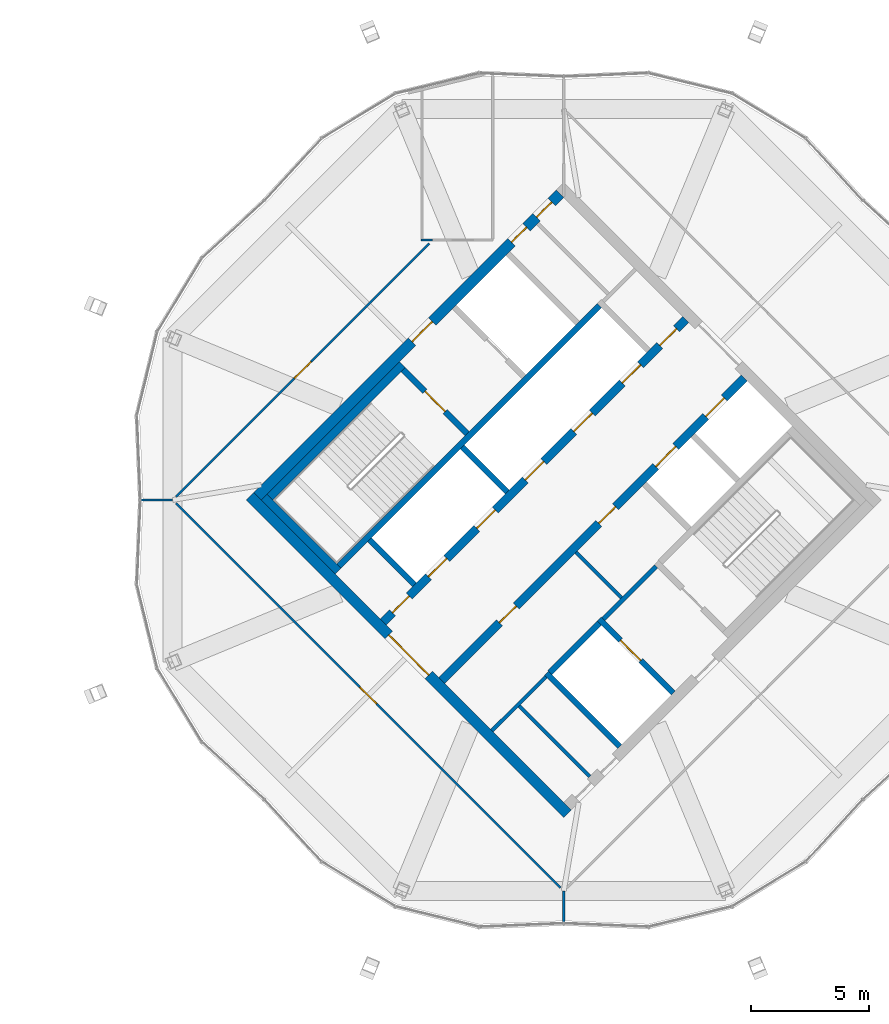
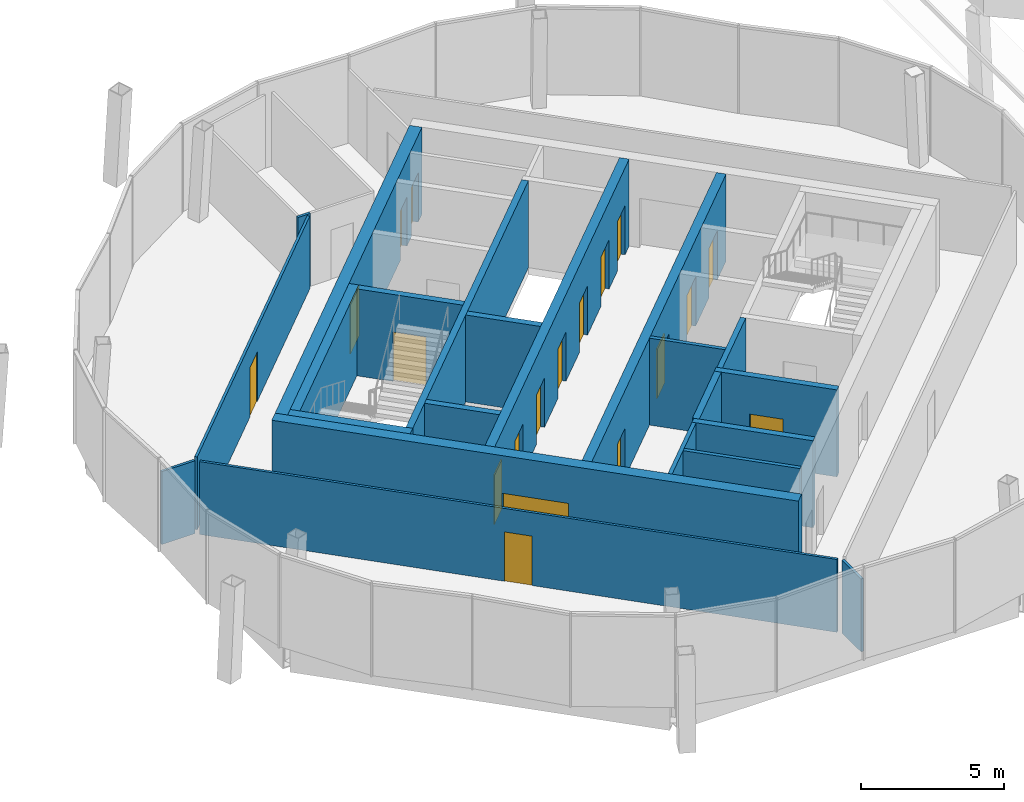
# One storey, part 18 of 22: 22 walls, 19 doors, 19 openings.
"""IFC4 building model written with IfcOpenShell, lengths in metres."""

from ifc_helpers import new_model, si_unit, direction, frame, frame_2d, origin, place, context, subcontext, project, spatial, rectangle, extrude, material, layer, layer_set, type_object, element, fill, save


model = new_model("IFC4")

# Units and contexts
model_context = context("Model", 3, precision=1e-05, world=origin(), true_north=direction((0.0, 1.0)))
body_context = subcontext(model_context, "Body", "Model", "MODEL_VIEW")
ifc_project = project(units=[si_unit("LENGTHUNIT", "METRE"), si_unit("AREAUNIT", "SQUARE_METRE"), si_unit("VOLUMEUNIT", "CUBIC_METRE"), si_unit("PLANEANGLEUNIT", "RADIAN"), si_unit("MASSUNIT", "GRAM", prefix="KILO")], contexts=[model_context])

# Site, building, storey
site_placement = place(None, origin())
site = spatial("IfcSite", under=ifc_project, at=site_placement, CompositionType="ELEMENT")
building_placement = place(site_placement, origin())
building = spatial("IfcBuilding", under=site, at=building_placement, Name="Ogive Gate Towers", CompositionType="ELEMENT")
storey_placement = place(building_placement, frame((0.0, 0.0, 298.0)))
storey = spatial("IfcBuildingStorey", under=building, at=storey_placement, Name="L70", CompositionType="ELEMENT", Elevation=298.0)

# Wall
ifc_material_1 = material(Name="Masonry blockwork", Category="masonry")
ifc_layer_1 = layer(ifc_material_1, 0.199951171875)
ifc_layer_set_1 = layer_set([ifc_layer_1], Name="Blockwork wall 200 mm")
wall_type_1 = type_object("IfcWallType", Name="Blockwork wall 200 mm", PredefinedType="PARTITIONING", material=ifc_layer_set_1)
wall_1_placement = place(storey_placement, frame((37.679443359375, -5.0380859375, 0.0), z_axis=(0.0, 0.0, 1.0), x_axis=(0.707106781187, 0.707106781187, 0.0)))
element("IfcWall", 1, at=wall_1_placement, inside=storey, type_object=wall_type_1, Name="T2 L70 Blockwork wall 200 mm", PredefinedType="PARTITIONING", context=body_context, shape_type="SweptSolid", body=[
    extrude(rectangle(XDim=3.14990234375, YDim=0.199951171875, at=frame_2d((1.574951171875, 0.0))), origin(), (0.0, 0.0, 1.0), 3.699951171875),
])

# Wall, openings, doors
ifc_material_2 = material(Name="Concrete C60/75", Category="concrete")
ifc_layer_2 = layer(ifc_material_2, 0.449951171875)
ifc_layer_set_2 = layer_set([ifc_layer_2], Name="Core wall 450 mm")
wall_type_2 = type_object("IfcWallType", Name="Core wall 450 mm", PredefinedType="SHEAR", material=ifc_layer_set_2)
wall_2_placement = place(storey_placement, frame((23.042236328125, 0.1591796875, 0.0), z_axis=(0.0, 0.0, 1.0), x_axis=(0.707106781187, 0.707106781187, 0.0)))
wall_2 = element("IfcWall", 2, at=wall_2_placement, inside=storey, type_object=wall_type_2, Name="T2 L70 Core wall 450 mm", PredefinedType="SHEAR", context=body_context, shape_type="SweptSolid", body=[
    extrude(rectangle(XDim=18.099853515625, YDim=0.449951171875, at=frame_2d((9.0498046875, 0.0))), origin(), (0.0, 0.0, 1.0), 3.699951171875),
])
opening_1_placement = place(wall_2_placement, frame((9.25, 0.0, 0.0)))
opening_1 = element("IfcOpeningElement", 3, at=opening_1_placement, cuts=wall_2, Name="Opening KD-T2-L70-18", PredefinedType="OPENING", context=body_context, shape_type="SweptSolid", body=[
    extrude(rectangle(XDim=1.199951171875, YDim=2.10009765625, at=frame_2d((0.60009765625, 1.050048828125))), frame((0.0, 0.23486328125, 0.0), z_axis=(0.0, -1.0, 0.0), x_axis=(1.0, 0.0, 0.0)), (0.0, 0.0, 1.0), 0.469970703125),
])
opening_2_placement = place(wall_2_placement, frame((15.199951171875, 0.0, 0.0)))
opening_2 = element("IfcOpeningElement", 4, at=opening_2_placement, cuts=wall_2, Name="Opening KD-T2-L70-20", PredefinedType="OPENING", context=body_context, shape_type="SweptSolid", body=[
    extrude(rectangle(XDim=0.89990234375, YDim=2.10009765625, at=frame_2d((0.449951171875, 1.050048828125))), frame((0.0, 0.23486328125, 0.0), z_axis=(0.0, -1.0, 0.0), x_axis=(1.0, 0.0, 0.0)), (0.0, 0.0, 1.0), 0.469970703125),
])
opening_3_placement = place(wall_2_placement, frame((16.699951171875, 0.0, 0.0)))
opening_3 = element("IfcOpeningElement", 5, at=opening_3_placement, cuts=wall_2, Name="Opening KD-T2-L70-21", PredefinedType="OPENING", context=body_context, shape_type="SweptSolid", body=[
    extrude(rectangle(XDim=0.89990234375, YDim=2.10009765625, at=frame_2d((0.449951171875, 1.050048828125))), frame((0.0, 0.23486328125, 0.0), z_axis=(0.0, -1.0, 0.0), x_axis=(1.0, 0.0, 0.0)), (0.0, 0.0, 1.0), 0.469970703125),
])
ifc_material_3 = material(Name="Steel fire door", Category="steel")
door_type_1 = type_object("IfcDoorType", Name="Core door FD60S 1200 x 2100", OperationType="NOTDEFINED", PredefinedType="DOOR", material=ifc_material_3)
door_1_placement = place(opening_1_placement, origin())
door_1 = element("IfcDoor", 6, at=door_1_placement, inside=storey, type_object=door_type_1, Name="T2 L70 Fire-fighting lobby door", OperationType="SINGLE_SWING_LEFT", OverallHeight=2.10009765625, OverallWidth=1.199951171875, PredefinedType="DOOR", context=body_context, shape_type="SweptSolid", body=[
    extrude(rectangle(XDim=1.199951171875, YDim=2.10009765625, at=frame_2d((0.60009765625, 1.050048828125))), frame((0.0, 0.02490234375, 0.0), z_axis=(0.0, -1.0, 0.0), x_axis=(1.0, 0.0, 0.0)), (0.0, 0.0, 1.0), 0.050048828125),
])
fill(opening_1, door_1)
door_type_2 = type_object("IfcDoorType", Name="Core door FD60S 900 x 2100", OperationType="NOTDEFINED", PredefinedType="DOOR", material=ifc_material_3)
door_2_placement = place(opening_2_placement, origin())
door_2 = element("IfcDoor", 7, at=door_2_placement, inside=storey, type_object=door_type_2, Name="T2 L70 Core door", OperationType="SINGLE_SWING_LEFT", OverallHeight=2.10009765625, OverallWidth=0.89990234375, PredefinedType="DOOR", context=body_context, shape_type="SweptSolid", body=[
    extrude(rectangle(XDim=0.89990234375, YDim=2.10009765625, at=frame_2d((0.449951171875, 1.050048828125))), frame((0.0, 0.02490234375, 0.0), z_axis=(0.0, -1.0, 0.0), x_axis=(1.0, 0.0, 0.0)), (0.0, 0.0, 1.0), 0.050048828125),
])
fill(opening_2, door_2)
door_3_placement = place(opening_3_placement, origin())
door_3 = element("IfcDoor", 8, at=door_3_placement, inside=storey, type_object=door_type_2, Name="T2 L70 Core door", OperationType="SINGLE_SWING_RIGHT", OverallHeight=2.10009765625, OverallWidth=0.89990234375, PredefinedType="DOOR", context=body_context, shape_type="SweptSolid", body=[
    extrude(rectangle(XDim=0.89990234375, YDim=2.10009765625, at=frame_2d((0.449951171875, 1.050048828125))), frame((0.0, 0.02490234375, 0.0), z_axis=(0.0, -1.0, 0.0), x_axis=(1.0, 0.0, 0.0)), (0.0, 0.0, 1.0), 0.050048828125),
])
fill(opening_3, door_3)

# Wall, opening, door
wall_3_placement = place(storey_placement, frame((36.1591796875, -13.27587890625, 0.0), z_axis=(0.0, 0.0, 1.0), x_axis=(-0.707106781187, 0.707106781187, 0.0)))
wall_3 = element("IfcWall", 9, at=wall_3_placement, inside=storey, type_object=wall_type_2, Name="T2 L70 Core wall 450 mm", PredefinedType="SHEAR", context=body_context, shape_type="SweptSolid", body=[
    extrude(rectangle(XDim=19.0, YDim=0.449951171875, at=frame_2d((9.5, 0.0))), origin(), (0.0, 0.0, 1.0), 3.699951171875),
])
opening_4_placement = place(wall_3_placement, frame((8.300048828125, 0.0, 0.0)))
opening_4 = element("IfcOpeningElement", 10, at=opening_4_placement, cuts=wall_3, Name="Opening KD-T2-L70-01", PredefinedType="OPENING", context=body_context, shape_type="SweptSolid", body=[
    extrude(rectangle(XDim=2.39990234375, YDim=2.10009765625, at=frame_2d((1.199951171875, 1.050048828125))), frame((0.0, 0.23486328125, 0.0), z_axis=(0.0, -1.0, 0.0), x_axis=(1.0, 0.0, 0.0)), (0.0, 0.0, 1.0), 0.469970703125),
])
door_type_3 = type_object("IfcDoorType", Name="Core double door FD60S 2400 x 2100", OperationType="DOUBLE_DOOR_SINGLE_SWING", PredefinedType="DOOR", material=ifc_material_3)
door_4_placement = place(opening_4_placement, origin())
door_4 = element("IfcDoor", 11, at=door_4_placement, inside=storey, type_object=door_type_3, Name="T2 L70 Core door double", OperationType="DOUBLE_DOOR_SINGLE_SWING", OverallHeight=2.10009765625, OverallWidth=2.39990234375, PredefinedType="DOOR", context=body_context, shape_type="SweptSolid", body=[
    extrude(rectangle(XDim=2.39990234375, YDim=2.10009765625, at=frame_2d((1.199951171875, 1.050048828125))), frame((0.0, 0.02490234375, 0.0), z_axis=(0.0, -1.0, 0.0), x_axis=(1.0, 0.0, 0.0)), (0.0, 0.0, 1.0), 0.050048828125),
])
fill(opening_4, door_4)

# Walls
ifc_material_4 = material(Name="Gypsum board partition")
ifc_layer_3 = layer(ifc_material_4, 0.10009765625)
ifc_layer_set_3 = layer_set([ifc_layer_3], Name="Partition wall 100")
wall_type_3 = type_object("IfcWallType", Name="Partition wall 100", PredefinedType="PARTITIONING", material=ifc_layer_set_3)
wall_4_placement = place(storey_placement, frame((29.949951171875, 11.0, 0.0), z_axis=(0.0, 0.0, 1.0), x_axis=(1.0, 0.0, 0.0)))
element("IfcWall", 12, at=wall_4_placement, inside=storey, type_object=wall_type_3, Name="L70 partition 002", PredefinedType="PARTITIONING", context=body_context, shape_type="SweptSolid", body=[
    extrude(rectangle(XDim=0.503662109375, YDim=0.10009765625, at=frame_2d((0.251953125, 0.0))), origin(), (0.0, 0.0, 1.0), 3.10009765625),
])
wall_5_placement = place(storey_placement, frame((18.119873046875, 0.0, 0.0), z_axis=(0.0, 0.0, 1.0), x_axis=(1.0, 0.0, 0.0)))
element("IfcWall", 13, at=wall_5_placement, inside=storey, type_object=wall_type_3, Name="L70 partition 010", PredefinedType="PARTITIONING", context=body_context, shape_type="SweptSolid", body=[
    extrude(rectangle(XDim=1.333740234375, YDim=0.10009765625, at=frame_2d((0.6669921875, 0.0))), origin(), (0.0, 0.0, 1.0), 3.10009765625),
])

# Wall, opening, door
wall_6_placement = place(storey_placement, frame((30.312255859375, 10.858642578125, 0.0), z_axis=(0.0, 0.0, 1.0), x_axis=(-0.707098727074, -0.707114835207, 0.0)))
wall_6 = element("IfcWall", 14, at=wall_6_placement, inside=storey, type_object=wall_type_3, Name="L70 partition 011", PredefinedType="PARTITIONING", context=body_context, shape_type="SweptSolid", body=[
    extrude(rectangle(XDim=15.15625, YDim=0.10009765625, at=frame_2d((7.578125, 0.0))), origin(), (0.0, 0.0, 1.0), 3.10009765625),
])
opening_5_placement = place(wall_6_placement, frame((7.078125, 0.0, 0.0)))
opening_5 = element("IfcOpeningElement", 15, at=opening_5_placement, cuts=wall_6, Name="Opening PO327", PredefinedType="OPENING", context=body_context, shape_type="SweptSolid", body=[
    extrude(rectangle(XDim=1.0, YDim=2.10009765625, at=frame_2d((0.5, 1.050048828125))), frame((0.0, 0.06005859375, 0.0), z_axis=(0.0, -1.0, 0.0), x_axis=(1.0, 0.0, 0.0)), (0.0, 0.0, 1.0), 0.1201171875),
])
ifc_material_5 = material(Name="Timber door", Category="wood")
door_type_4 = type_object("IfcDoorType", Name="Door 1000 x 2100", OperationType="NOTDEFINED", PredefinedType="DOOR", material=ifc_material_5)
door_5_placement = place(opening_5_placement, origin())
door_5 = element("IfcDoor", 16, at=door_5_placement, inside=storey, type_object=door_type_4, Name="Door PO327", OperationType="SINGLE_SWING_LEFT", OverallHeight=2.10009765625, OverallWidth=1.0, PredefinedType="DOOR", context=body_context, shape_type="SweptSolid", body=[
    extrude(rectangle(XDim=1.0, YDim=2.10009765625, at=frame_2d((0.5, 1.050048828125))), frame((0.0, 0.02490234375, 0.0), z_axis=(0.0, -1.0, 0.0), x_axis=(1.0, 0.0, 0.0)), (0.0, 0.0, 1.0), 0.050048828125),
])
fill(opening_5, door_5)

# Wall
wall_7_placement = place(storey_placement, frame((36.0, -17.880126953125, 0.0), z_axis=(0.0, 0.0, 1.0), x_axis=(0.0, 1.0, 0.0)))
element("IfcWall", 17, at=wall_7_placement, inside=storey, type_object=wall_type_3, Name="L70 partition 012", PredefinedType="PARTITIONING", context=body_context, shape_type="SweptSolid", body=[
    extrude(rectangle(XDim=1.333740234375, YDim=0.10009765625, at=frame_2d((0.6669921875, 0.0))), origin(), (0.0, 0.0, 1.0), 3.10009765625),
])

# Wall, opening, door
wall_8_placement = place(storey_placement, frame((19.59521484375, -0.141357421875, 0.0), z_axis=(0.0, 0.0, 1.0), x_axis=(0.707106781187, -0.707106781187, 0.0)))
wall_8 = element("IfcWall", 18, at=wall_8_placement, inside=storey, type_object=wall_type_3, Name="L70 partition 013", PredefinedType="PARTITIONING", context=body_context, shape_type="SweptSolid", body=[
    extrude(rectangle(XDim=23.0, YDim=0.10009765625, at=frame_2d((11.5, 0.0))), origin(), (0.0, 0.0, 1.0), 3.10009765625),
])
opening_6_placement = place(wall_8_placement, frame((11.0, 0.0, 0.0)))
opening_6 = element("IfcOpeningElement", 19, at=opening_6_placement, cuts=wall_8, Name="Opening PO328", PredefinedType="OPENING", context=body_context, shape_type="SweptSolid", body=[
    extrude(rectangle(XDim=1.0, YDim=2.10009765625, at=frame_2d((0.5, 1.050048828125))), frame((0.0, 0.06005859375, 0.0), z_axis=(0.0, -1.0, 0.0), x_axis=(1.0, 0.0, 0.0)), (0.0, 0.0, 1.0), 0.1201171875),
])
door_6_placement = place(opening_6_placement, origin())
door_6 = element("IfcDoor", 20, at=door_6_placement, inside=storey, type_object=door_type_4, Name="Door PO328", OperationType="SINGLE_SWING_RIGHT", OverallHeight=2.10009765625, OverallWidth=1.0, PredefinedType="DOOR", context=body_context, shape_type="SweptSolid", body=[
    extrude(rectangle(XDim=1.0, YDim=2.10009765625, at=frame_2d((0.5, 1.050048828125))), frame((0.0, 0.02490234375, 0.0), z_axis=(0.0, -1.0, 0.0), x_axis=(1.0, 0.0, 0.0)), (0.0, 0.0, 1.0), 0.050048828125),
])
fill(opening_6, door_6)

# Walls
ifc_layer_4 = layer(ifc_material_4, 0.14990234375)
ifc_layer_set_4 = layer_set([ifc_layer_4], Name="Room partition 150 mm")
wall_type_4 = type_object("IfcWallType", Name="Room partition 150 mm", PredefinedType="PARTITIONING", material=ifc_layer_set_4)
wall_9_placement = place(storey_placement, frame((32.95947265625, -9.758056640625, 0.0), z_axis=(0.0, 0.0, 1.0), x_axis=(0.707144631829, 0.707068928518, 0.0)))
element("IfcWall", 21, at=wall_9_placement, inside=storey, type_object=wall_type_4, Name="T2 L70 Room partition 150 mm", PredefinedType="PARTITIONING", context=body_context, shape_type="SweptSolid", body=[
    extrude(rectangle(XDim=3.224853515625, YDim=0.14990234375, at=frame_2d((1.6123046875, 0.0))), origin(), (0.0, 0.0, 1.0), 3.699951171875),
])
wall_10_placement = place(storey_placement, frame((37.095947265625, -11.70263671875, 0.0), z_axis=(0.0, 0.0, 1.0), x_axis=(-0.707106781187, 0.707106781187, 0.0)))
element("IfcWall", 22, at=wall_10_placement, inside=storey, type_object=wall_type_4, Name="T2 L70 Room partition 150 mm", PredefinedType="PARTITIONING", context=body_context, shape_type="SweptSolid", body=[
    extrude(rectangle(XDim=4.22509765625, YDim=0.14990234375, at=frame_2d((2.112548828125, 0.0))), origin(), (0.0, 0.0, 1.0), 3.699951171875),
])
wall_11_placement = place(storey_placement, frame((38.439453125, -4.13671875, 0.0), z_axis=(0.0, 0.0, 1.0), x_axis=(-0.707061983646, 0.707151575889, 0.0)))
element("IfcWall", 23, at=wall_11_placement, inside=storey, type_object=wall_type_4, Name="T2 L70 Room partition 150 mm", PredefinedType="PARTITIONING", context=body_context, shape_type="SweptSolid", body=[
    extrude(rectangle(XDim=2.72509765625, YDim=0.14990234375, at=frame_2d((1.362548828125, 0.0))), origin(), (0.0, 0.0, 1.0), 3.699951171875),
])
ifc_layer_5 = layer(ifc_material_2, 0.25)
ifc_layer_set_5 = layer_set([ifc_layer_5], Name="Shaft wall 250 mm")
wall_type_5 = type_object("IfcWallType", Name="Shaft wall 250 mm", PredefinedType="SHEAR", material=ifc_layer_set_5)
wall_12_placement = place(storey_placement, frame((35.41650390625, -7.30078125, 0.0), z_axis=(0.0, 0.0, 1.0), x_axis=(0.707148157867, 0.707065402085, 0.0)))
element("IfcWall", 24, at=wall_12_placement, inside=storey, type_object=wall_type_5, Name="T2 L70 Shaft wall 250 mm", PredefinedType="SHEAR", context=body_context, shape_type="SweptSolid", body=[
    extrude(rectangle(XDim=2.9501953125, YDim=0.25, at=frame_2d((1.47509765625, 0.0))), origin(), (0.0, 0.0, 1.0), 3.699951171875),
])
wall_13_placement = place(storey_placement, frame((26.489501953125, -2.793212890625, 0.0), z_axis=(0.0, 0.0, 1.0), x_axis=(0.707098943647, 0.70711461864, 0.0)))
element("IfcWall", 25, at=wall_13_placement, inside=storey, type_object=wall_type_5, Name="T2 L70 Shaft wall 250 mm", PredefinedType="SHEAR", context=body_context, shape_type="SweptSolid", body=[
    extrude(rectangle(XDim=15.5751953125, YDim=0.25, at=frame_2d((7.78759765625, 0.0))), origin(), (0.0, 0.0, 1.0), 3.699951171875),
])
wall_14_placement = place(storey_placement, frame((29.689208984375, -3.588623046875, 0.0), z_axis=(0.0, 0.0, 1.0), x_axis=(-0.707151988282, 0.707061571201, 0.0)))
element("IfcWall", 26, at=wall_14_placement, inside=storey, type_object=wall_type_5, Name="T2 L70 Shaft wall 250 mm", PredefinedType="SHEAR", context=body_context, shape_type="SweptSolid", body=[
    extrude(rectangle(XDim=2.7001953125, YDim=0.25, at=frame_2d((1.35009765625, 0.0))), origin(), (0.0, 0.0, 1.0), 3.699951171875),
])
wall_15_placement = place(storey_placement, frame((38.368896484375, -10.4296875, 0.0), z_axis=(0.0, 0.0, 1.0), x_axis=(-0.707134682099, 0.707078879173, 0.0)))
element("IfcWall", 27, at=wall_15_placement, inside=storey, type_object=wall_type_5, Name="T2 L70 Shaft wall 250 mm", PredefinedType="SHEAR", context=body_context, shape_type="SweptSolid", body=[
    extrude(rectangle(XDim=4.375, YDim=0.25, at=frame_2d((2.1875, 0.0))), origin(), (0.0, 0.0, 1.0), 3.699951171875),
])

# Wall, opening, door
wall_16_placement = place(storey_placement, frame((40.631591796875, -8.1669921875, 0.0), z_axis=(0.0, 0.0, 1.0), x_axis=(-0.707106781187, 0.707106781187, 0.0)))
wall_16 = element("IfcWall", 28, at=wall_16_placement, inside=storey, type_object=wall_type_5, Name="T2 L70 Shaft wall 250 mm", PredefinedType="SHEAR", context=body_context, shape_type="SweptSolid", body=[
    extrude(rectangle(XDim=4.425048828125, YDim=0.25, at=frame_2d((2.21240234375, 0.0))), origin(), (0.0, 0.0, 1.0), 3.699951171875),
])
opening_7_placement = place(wall_16_placement, frame((1.949951171875, 0.0, 0.0)))
opening_7 = element("IfcOpeningElement", 29, at=opening_7_placement, cuts=wall_16, Name="Opening LD-T2-L70-13", PredefinedType="OPENING", context=body_context, shape_type="SweptSolid", body=[
    extrude(rectangle(XDim=1.199951171875, YDim=2.10009765625, at=frame_2d((0.60009765625, 1.050048828125))), frame((0.0, 0.135009765625, 0.0), z_axis=(0.0, -1.0, 0.0), x_axis=(1.0, 0.0, 0.0)), (0.0, 0.0, 1.0), 0.27001953125),
])
ifc_material_6 = material(Name="Stainless steel landing door", Category="steel")
door_type_5 = type_object("IfcDoorType", Name="Landing door 1200 x 2100", OperationType="SLIDING_TO_LEFT", PredefinedType="DOOR", material=ifc_material_6)
door_7_placement = place(opening_7_placement, origin())
door_7 = element("IfcDoor", 30, at=door_7_placement, inside=storey, type_object=door_type_5, Name="T2 L70 Lift landing door FF2", OperationType="SLIDING_TO_LEFT", OverallHeight=2.10009765625, OverallWidth=1.199951171875, PredefinedType="DOOR", context=body_context, shape_type="SweptSolid", body=[
    extrude(rectangle(XDim=1.199951171875, YDim=2.10009765625, at=frame_2d((0.60009765625, 1.050048828125))), frame((0.0, 0.02490234375, 0.0), z_axis=(0.0, -1.0, 0.0), x_axis=(1.0, 0.0, 0.0)), (0.0, 0.0, 1.0), 0.050048828125),
])
fill(opening_7, door_7)

# Wall
wall_17_placement = place(storey_placement, frame((33.613525390625, 0.3359375, 0.0), z_axis=(0.0, 0.0, 1.0), x_axis=(-0.707106781187, 0.707106781187, 0.0)))
element("IfcWall", 31, at=wall_17_placement, inside=storey, type_object=wall_type_5, Name="T2 L70 Shaft wall 250 mm", PredefinedType="SHEAR", context=body_context, shape_type="SweptSolid", body=[
    extrude(rectangle(XDim=2.699951171875, YDim=0.25, at=frame_2d((1.35009765625, 0.0))), origin(), (0.0, 0.0, 1.0), 3.699951171875),
])

# Wall, opening, door
wall_18_placement = place(storey_placement, frame((31.91650390625, 2.810791015625, 0.0), z_axis=(0.0, 0.0, 1.0), x_axis=(-0.707106781187, 0.707106781187, 0.0)))
wall_18 = element("IfcWall", 32, at=wall_18_placement, inside=storey, type_object=wall_type_5, Name="T2 L70 Shaft wall 250 mm", PredefinedType="SHEAR", context=body_context, shape_type="SweptSolid", body=[
    extrude(rectangle(XDim=3.824951171875, YDim=0.25, at=frame_2d((1.91259765625, 0.0))), origin(), (0.0, 0.0, 1.0), 3.699951171875),
])
opening_8_placement = place(wall_18_placement, frame((1.324951171875, 0.0, 0.0)))
opening_8 = element("IfcOpeningElement", 33, at=opening_8_placement, cuts=wall_18, Name="Opening KD-T2-L70-16", PredefinedType="OPENING", context=body_context, shape_type="SweptSolid", body=[
    extrude(rectangle(XDim=1.199951171875, YDim=2.10009765625, at=frame_2d((0.60009765625, 1.050048828125))), frame((0.0, 0.135009765625, 0.0), z_axis=(0.0, -1.0, 0.0), x_axis=(1.0, 0.0, 0.0)), (0.0, 0.0, 1.0), 0.27001953125),
])
door_8_placement = place(opening_8_placement, origin())
door_8 = element("IfcDoor", 34, at=door_8_placement, inside=storey, type_object=door_type_1, Name="T2 L70 Stair door", OperationType="SINGLE_SWING_LEFT", OverallHeight=2.10009765625, OverallWidth=1.199951171875, PredefinedType="DOOR", context=body_context, shape_type="SweptSolid", body=[
    extrude(rectangle(XDim=1.199951171875, YDim=2.10009765625, at=frame_2d((0.60009765625, 1.050048828125))), frame((0.0, 0.02490234375, 0.0), z_axis=(0.0, -1.0, 0.0), x_axis=(1.0, 0.0, 0.0)), (0.0, 0.0, 1.0), 0.050048828125),
])
fill(opening_8, door_8)

# Wall, openings, doors
ifc_layer_6 = layer(ifc_material_2, 0.35009765625)
ifc_layer_set_6 = layer_set([ifc_layer_6], Name="Spine wall 350 mm")
wall_type_6 = type_object("IfcWallType", Name="Spine wall 350 mm", PredefinedType="SHEAR", material=ifc_layer_set_6)
wall_19_placement = place(storey_placement, frame((30.838134765625, -7.63671875, 0.0), z_axis=(0.0, 0.0, 1.0), x_axis=(0.707106781187, 0.707106781187, 0.0)))
wall_19 = element("IfcWall", 35, at=wall_19_placement, inside=storey, type_object=wall_type_6, Name="T2 L70 Spine wall 350 mm", PredefinedType="SHEAR", context=body_context, shape_type="SweptSolid", body=[
    extrude(rectangle(XDim=18.099853515625, YDim=0.35009765625, at=frame_2d((9.0498046875, 0.0))), origin(), (0.0, 0.0, 1.0), 3.699951171875),
])
opening_9_placement = place(wall_19_placement, frame((12.800048828125, 0.0, 0.0)))
opening_9 = element("IfcOpeningElement", 36, at=opening_9_placement, cuts=wall_19, Name="Opening LD-T2-L70-10", PredefinedType="OPENING", context=body_context, shape_type="SweptSolid", body=[
    extrude(rectangle(XDim=1.199951171875, YDim=2.10009765625, at=frame_2d((0.60009765625, 1.050048828125))), frame((0.0, 0.18505859375, 0.0), z_axis=(0.0, -1.0, 0.0), x_axis=(1.0, 0.0, 0.0)), (0.0, 0.0, 1.0), 0.3701171875),
])
opening_10_placement = place(wall_19_placement, frame((15.800048828125, 0.0, 0.0)))
opening_10 = element("IfcOpeningElement", 37, at=opening_10_placement, cuts=wall_19, Name="Opening LD-T2-L70-11", PredefinedType="OPENING", context=body_context, shape_type="SweptSolid", body=[
    extrude(rectangle(XDim=1.10009765625, YDim=2.10009765625, at=frame_2d((0.550048828125, 1.050048828125))), frame((0.0, 0.18505859375, 0.0), z_axis=(0.0, -1.0, 0.0), x_axis=(1.0, 0.0, 0.0)), (0.0, 0.0, 1.0), 0.3701171875),
])
opening_11_placement = place(wall_19_placement, frame((3.449951171875, 0.0, 0.0)))
opening_11 = element("IfcOpeningElement", 38, at=opening_11_placement, cuts=wall_19, Name="Opening KD-T2-L70-14", PredefinedType="OPENING", context=body_context, shape_type="SweptSolid", body=[
    extrude(rectangle(XDim=1.0, YDim=2.10009765625, at=frame_2d((0.5, 1.050048828125))), frame((0.0, 0.18505859375, 0.0), z_axis=(0.0, -1.0, 0.0), x_axis=(1.0, 0.0, 0.0)), (0.0, 0.0, 1.0), 0.3701171875),
])
opening_12_placement = place(wall_19_placement, frame((9.39990234375, 0.0, 0.0)))
opening_12 = element("IfcOpeningElement", 39, at=opening_12_placement, cuts=wall_19, Name="Opening KD-T2-L70-15", PredefinedType="OPENING", context=body_context, shape_type="SweptSolid", body=[
    extrude(rectangle(XDim=1.0, YDim=2.10009765625, at=frame_2d((0.5, 1.050048828125))), frame((0.0, 0.18505859375, 0.0), z_axis=(0.0, -1.0, 0.0), x_axis=(1.0, 0.0, 0.0)), (0.0, 0.0, 1.0), 0.3701171875),
])
door_type_6 = type_object("IfcDoorType", Name="Core door FD60S 1000 x 2100", OperationType="NOTDEFINED", PredefinedType="DOOR", material=ifc_material_3)
door_9_placement = place(opening_11_placement, origin())
door_9 = element("IfcDoor", 40, at=door_9_placement, inside=storey, type_object=door_type_6, Name="T2 L70 Core door", OperationType="SINGLE_SWING_LEFT", OverallHeight=2.10009765625, OverallWidth=1.0, PredefinedType="DOOR", context=body_context, shape_type="SweptSolid", body=[
    extrude(rectangle(XDim=1.0, YDim=2.10009765625, at=frame_2d((0.5, 1.050048828125))), frame((0.0, 0.02490234375, 0.0), z_axis=(0.0, -1.0, 0.0), x_axis=(1.0, 0.0, 0.0)), (0.0, 0.0, 1.0), 0.050048828125),
])
fill(opening_11, door_9)
door_10_placement = place(opening_12_placement, origin())
door_10 = element("IfcDoor", 41, at=door_10_placement, inside=storey, type_object=door_type_6, Name="T2 L70 Core door", OperationType="SINGLE_SWING_RIGHT", OverallHeight=2.10009765625, OverallWidth=1.0, PredefinedType="DOOR", context=body_context, shape_type="SweptSolid", body=[
    extrude(rectangle(XDim=1.0, YDim=2.10009765625, at=frame_2d((0.5, 1.050048828125))), frame((0.0, 0.02490234375, 0.0), z_axis=(0.0, -1.0, 0.0), x_axis=(1.0, 0.0, 0.0)), (0.0, 0.0, 1.0), 0.050048828125),
])
fill(opening_12, door_10)
door_type_7 = type_object("IfcDoorType", Name="Landing door 1100 x 2100", OperationType="SLIDING_TO_LEFT", PredefinedType="DOOR", material=ifc_material_6)
door_11_placement = place(opening_10_placement, origin())
door_11 = element("IfcDoor", 42, at=door_11_placement, inside=storey, type_object=door_type_7, Name="T2 L70 Lift landing door B6", OperationType="SLIDING_TO_LEFT", OverallHeight=2.10009765625, OverallWidth=1.10009765625, PredefinedType="DOOR", context=body_context, shape_type="SweptSolid", body=[
    extrude(rectangle(XDim=1.10009765625, YDim=2.10009765625, at=frame_2d((0.550048828125, 1.050048828125))), frame((0.0, 0.02490234375, 0.0), z_axis=(0.0, -1.0, 0.0), x_axis=(1.0, 0.0, 0.0)), (0.0, 0.0, 1.0), 0.050048828125),
])
fill(opening_10, door_11)
door_12_placement = place(opening_9_placement, origin())
door_12 = element("IfcDoor", 43, at=door_12_placement, inside=storey, type_object=door_type_5, Name="T2 L70 Lift landing door SVC", OperationType="SLIDING_TO_LEFT", OverallHeight=2.10009765625, OverallWidth=1.199951171875, PredefinedType="DOOR", context=body_context, shape_type="SweptSolid", body=[
    extrude(rectangle(XDim=1.199951171875, YDim=2.10009765625, at=frame_2d((0.60009765625, 1.050048828125))), frame((0.0, 0.02490234375, 0.0), z_axis=(0.0, -1.0, 0.0), x_axis=(1.0, 0.0, 0.0)), (0.0, 0.0, 1.0), 0.050048828125),
])
fill(opening_9, door_12)

wall_20_placement = place(storey_placement, frame((28.36328125, -5.161865234375, 0.0), z_axis=(0.0, 0.0, 1.0), x_axis=(0.707106781187, 0.707106781187, 0.0)))
wall_20 = element("IfcWall", 44, at=wall_20_placement, inside=storey, type_object=wall_type_6, Name="T2 L70 Spine wall 350 mm", PredefinedType="SHEAR", context=body_context, shape_type="SweptSolid", body=[
    extrude(rectangle(XDim=18.099853515625, YDim=0.35009765625, at=frame_2d((9.0498046875, 0.0))), origin(), (0.0, 0.0, 1.0), 3.699951171875),
])
opening_13_placement = place(wall_20_placement, frame((0.550048828125, 0.0, 0.0)))
opening_13 = element("IfcOpeningElement", 45, at=opening_13_placement, cuts=wall_20, Name="Opening KD-T2-L70-03", PredefinedType="OPENING", context=body_context, shape_type="SweptSolid", body=[
    extrude(rectangle(XDim=1.0, YDim=2.10009765625, at=frame_2d((0.5, 1.050048828125))), frame((0.0, 0.18505859375, 0.0), z_axis=(0.0, -1.0, 0.0), x_axis=(1.0, 0.0, 0.0)), (0.0, 0.0, 1.0), 0.3701171875),
])
opening_14_placement = place(wall_20_placement, frame((2.699951171875, 0.0, 0.0)))
opening_14 = element("IfcOpeningElement", 46, at=opening_14_placement, cuts=wall_20, Name="Opening LD-T2-L70-04", PredefinedType="OPENING", context=body_context, shape_type="SweptSolid", body=[
    extrude(rectangle(XDim=1.10009765625, YDim=2.10009765625, at=frame_2d((0.550048828125, 1.050048828125))), frame((0.0, 0.18505859375, 0.0), z_axis=(0.0, -1.0, 0.0), x_axis=(1.0, 0.0, 0.0)), (0.0, 0.0, 1.0), 0.3701171875),
])
opening_15_placement = place(wall_20_placement, frame((5.60009765625, 0.0, 0.0)))
opening_15 = element("IfcOpeningElement", 47, at=opening_15_placement, cuts=wall_20, Name="Opening LD-T2-L70-05", PredefinedType="OPENING", context=body_context, shape_type="SweptSolid", body=[
    extrude(rectangle(XDim=1.10009765625, YDim=2.10009765625, at=frame_2d((0.550048828125, 1.050048828125))), frame((0.0, 0.18505859375, 0.0), z_axis=(0.0, -1.0, 0.0), x_axis=(1.0, 0.0, 0.0)), (0.0, 0.0, 1.0), 0.3701171875),
])
opening_16_placement = place(wall_20_placement, frame((8.5, 0.0, 0.0)))
opening_16 = element("IfcOpeningElement", 48, at=opening_16_placement, cuts=wall_20, Name="Opening LD-T2-L70-06", PredefinedType="OPENING", context=body_context, shape_type="SweptSolid", body=[
    extrude(rectangle(XDim=1.10009765625, YDim=2.10009765625, at=frame_2d((0.550048828125, 1.050048828125))), frame((0.0, 0.18505859375, 0.0), z_axis=(0.0, -1.0, 0.0), x_axis=(1.0, 0.0, 0.0)), (0.0, 0.0, 1.0), 0.3701171875),
])
opening_17_placement = place(wall_20_placement, frame((11.39990234375, 0.0, 0.0)))
opening_17 = element("IfcOpeningElement", 49, at=opening_17_placement, cuts=wall_20, Name="Opening LD-T2-L70-07", PredefinedType="OPENING", context=body_context, shape_type="SweptSolid", body=[
    extrude(rectangle(XDim=1.10009765625, YDim=2.10009765625, at=frame_2d((0.550048828125, 1.050048828125))), frame((0.0, 0.18505859375, 0.0), z_axis=(0.0, -1.0, 0.0), x_axis=(1.0, 0.0, 0.0)), (0.0, 0.0, 1.0), 0.3701171875),
])
opening_18_placement = place(wall_20_placement, frame((14.300048828125, 0.0, 0.0)))
opening_18 = element("IfcOpeningElement", 50, at=opening_18_placement, cuts=wall_20, Name="Opening LD-T2-L70-08", PredefinedType="OPENING", context=body_context, shape_type="SweptSolid", body=[
    extrude(rectangle(XDim=1.10009765625, YDim=2.10009765625, at=frame_2d((0.550048828125, 1.050048828125))), frame((0.0, 0.18505859375, 0.0), z_axis=(0.0, -1.0, 0.0), x_axis=(1.0, 0.0, 0.0)), (0.0, 0.0, 1.0), 0.3701171875),
])
opening_19_placement = place(wall_20_placement, frame((16.550048828125, 0.0, 0.0)))
opening_19 = element("IfcOpeningElement", 51, at=opening_19_placement, cuts=wall_20, Name="Opening KD-T2-L70-09", PredefinedType="OPENING", context=body_context, shape_type="SweptSolid", body=[
    extrude(rectangle(XDim=1.0, YDim=2.10009765625, at=frame_2d((0.5, 1.050048828125))), frame((0.0, 0.18505859375, 0.0), z_axis=(0.0, -1.0, 0.0), x_axis=(1.0, 0.0, 0.0)), (0.0, 0.0, 1.0), 0.3701171875),
])
door_13_placement = place(opening_13_placement, origin())
door_13 = element("IfcDoor", 52, at=door_13_placement, inside=storey, type_object=door_type_6, Name="T2 L70 Core door", OperationType="SINGLE_SWING_RIGHT", OverallHeight=2.10009765625, OverallWidth=1.0, PredefinedType="DOOR", context=body_context, shape_type="SweptSolid", body=[
    extrude(rectangle(XDim=1.0, YDim=2.10009765625, at=frame_2d((0.5, 1.050048828125))), frame((0.0, 0.02490234375, 0.0), z_axis=(0.0, -1.0, 0.0), x_axis=(1.0, 0.0, 0.0)), (0.0, 0.0, 1.0), 0.050048828125),
])
fill(opening_13, door_13)
door_14_placement = place(opening_19_placement, origin())
door_14 = element("IfcDoor", 53, at=door_14_placement, inside=storey, type_object=door_type_6, Name="T2 L70 Core door", OperationType="SINGLE_SWING_RIGHT", OverallHeight=2.10009765625, OverallWidth=1.0, PredefinedType="DOOR", context=body_context, shape_type="SweptSolid", body=[
    extrude(rectangle(XDim=1.0, YDim=2.10009765625, at=frame_2d((0.5, 1.050048828125))), frame((0.0, 0.02490234375, 0.0), z_axis=(0.0, -1.0, 0.0), x_axis=(1.0, 0.0, 0.0)), (0.0, 0.0, 1.0), 0.050048828125),
])
fill(opening_19, door_14)
door_15_placement = place(opening_14_placement, origin())
door_15 = element("IfcDoor", 54, at=door_15_placement, inside=storey, type_object=door_type_7, Name="T2 L70 Lift landing door B1", OperationType="SLIDING_TO_LEFT", OverallHeight=2.10009765625, OverallWidth=1.10009765625, PredefinedType="DOOR", context=body_context, shape_type="SweptSolid", body=[
    extrude(rectangle(XDim=1.10009765625, YDim=2.10009765625, at=frame_2d((0.550048828125, 1.050048828125))), frame((0.0, 0.02490234375, 0.0), z_axis=(0.0, -1.0, 0.0), x_axis=(1.0, 0.0, 0.0)), (0.0, 0.0, 1.0), 0.050048828125),
])
fill(opening_14, door_15)
door_16_placement = place(opening_15_placement, origin())
door_16 = element("IfcDoor", 55, at=door_16_placement, inside=storey, type_object=door_type_7, Name="T2 L70 Lift landing door B2", OperationType="SLIDING_TO_LEFT", OverallHeight=2.10009765625, OverallWidth=1.10009765625, PredefinedType="DOOR", context=body_context, shape_type="SweptSolid", body=[
    extrude(rectangle(XDim=1.10009765625, YDim=2.10009765625, at=frame_2d((0.550048828125, 1.050048828125))), frame((0.0, 0.02490234375, 0.0), z_axis=(0.0, -1.0, 0.0), x_axis=(1.0, 0.0, 0.0)), (0.0, 0.0, 1.0), 0.050048828125),
])
fill(opening_15, door_16)
door_17_placement = place(opening_16_placement, origin())
door_17 = element("IfcDoor", 56, at=door_17_placement, inside=storey, type_object=door_type_7, Name="T2 L70 Lift landing door B3", OperationType="SLIDING_TO_LEFT", OverallHeight=2.10009765625, OverallWidth=1.10009765625, PredefinedType="DOOR", context=body_context, shape_type="SweptSolid", body=[
    extrude(rectangle(XDim=1.10009765625, YDim=2.10009765625, at=frame_2d((0.550048828125, 1.050048828125))), frame((0.0, 0.02490234375, 0.0), z_axis=(0.0, -1.0, 0.0), x_axis=(1.0, 0.0, 0.0)), (0.0, 0.0, 1.0), 0.050048828125),
])
fill(opening_16, door_17)
door_18_placement = place(opening_17_placement, origin())
door_18 = element("IfcDoor", 57, at=door_18_placement, inside=storey, type_object=door_type_7, Name="T2 L70 Lift landing door B4", OperationType="SLIDING_TO_LEFT", OverallHeight=2.10009765625, OverallWidth=1.10009765625, PredefinedType="DOOR", context=body_context, shape_type="SweptSolid", body=[
    extrude(rectangle(XDim=1.10009765625, YDim=2.10009765625, at=frame_2d((0.550048828125, 1.050048828125))), frame((0.0, 0.02490234375, 0.0), z_axis=(0.0, -1.0, 0.0), x_axis=(1.0, 0.0, 0.0)), (0.0, 0.0, 1.0), 0.050048828125),
])
fill(opening_17, door_18)
door_19_placement = place(opening_18_placement, origin())
door_19 = element("IfcDoor", 58, at=door_19_placement, inside=storey, type_object=door_type_7, Name="T2 L70 Lift landing door B5", OperationType="SLIDING_TO_LEFT", OverallHeight=2.10009765625, OverallWidth=1.10009765625, PredefinedType="DOOR", context=body_context, shape_type="SweptSolid", body=[
    extrude(rectangle(XDim=1.10009765625, YDim=2.10009765625, at=frame_2d((0.550048828125, 1.050048828125))), frame((0.0, 0.02490234375, 0.0), z_axis=(0.0, -1.0, 0.0), x_axis=(1.0, 0.0, 0.0)), (0.0, 0.0, 1.0), 0.050048828125),
])
fill(opening_18, door_19)

# Walls
ifc_layer_7 = layer(ifc_material_2, 0.35009765625)
ifc_layer_set_7 = layer_set([ifc_layer_7], Name="Stair wall 350 mm")
wall_type_7 = type_object("IfcWallType", Name="Stair wall 350 mm", PredefinedType="SHEAR", material=ifc_layer_set_7)
wall_21_placement = place(storey_placement, frame((23.572509765625, 0.123779296875, 0.0), z_axis=(0.0, 0.0, 1.0), x_axis=(0.707122184046, 0.707091377991, 0.0)))
element("IfcWall", 59, at=wall_21_placement, inside=storey, type_object=wall_type_7, Name="T2 L70 Stair wall 350 mm", PredefinedType="SHEAR", context=body_context, shape_type="SweptSolid", body=[
    extrude(rectangle(XDim=7.925048828125, YDim=0.35009765625, at=frame_2d((3.96240234375, 0.0))), origin(), (0.0, 0.0, 1.0), 3.699951171875),
])
wall_22_placement = place(storey_placement, frame((26.4541015625, -3.005126953125, 0.0), z_axis=(0.0, 0.0, 1.0), x_axis=(-0.707106781187, 0.707106781187, 0.0)))
element("IfcWall", 60, at=wall_22_placement, inside=storey, type_object=wall_type_7, Name="T2 L70 Stair wall 350 mm", PredefinedType="SHEAR", context=body_context, shape_type="SweptSolid", body=[
    extrude(rectangle(XDim=4.425048828125, YDim=0.35009765625, at=frame_2d((2.21240234375, 0.0))), origin(), (0.0, 0.0, 1.0), 3.699951171875),
])

save(model, "model.ifc")
